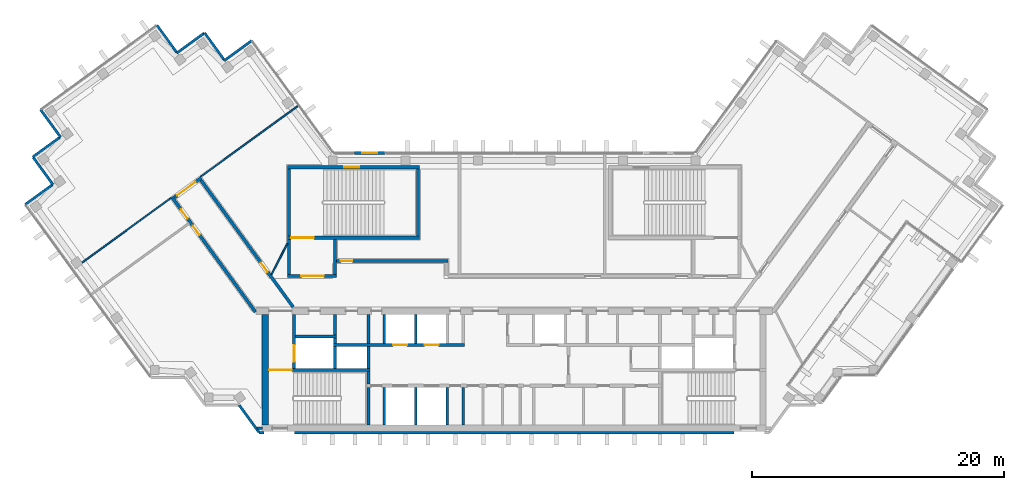
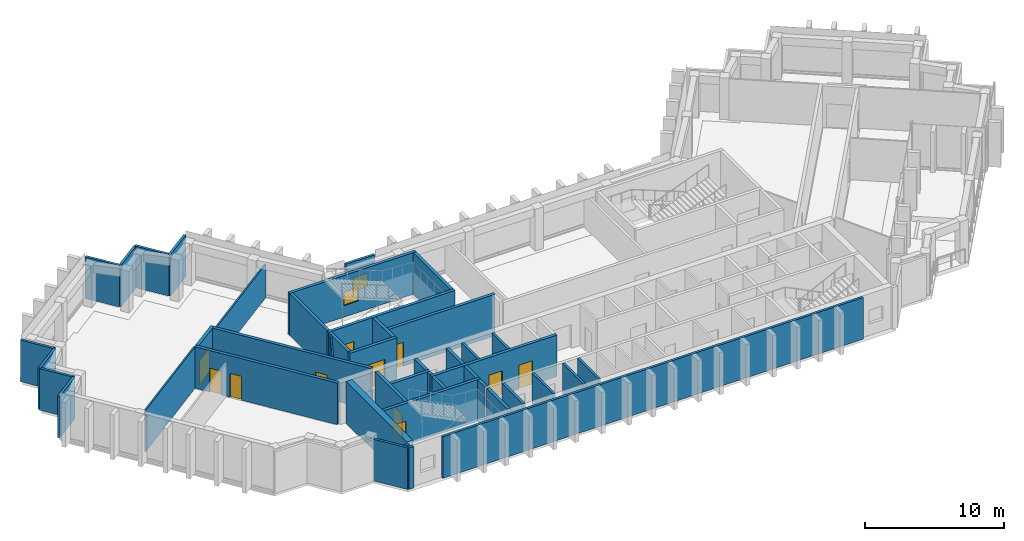
# One storey, part 5 of 11: 45 walls, 11 doors, 2 windows, 13 openings.
"""IFC4 building model written with IfcOpenShell, lengths in metres."""

from ifc_helpers import new_model, si_unit, direction, frame, frame_2d, origin, place, context, subcontext, project, spatial, rectangle, extrude, material, layer, layer_set, type_object, element, fill, save


model = new_model("IFC4")

# Units and contexts
model_context = context("Model", 3, precision=1e-05, world=origin(), true_north=direction((0.0, 1.0)))
body_context = subcontext(model_context, "Body", "Model", "MODEL_VIEW")
ifc_project = project(units=[si_unit("LENGTHUNIT", "METRE"), si_unit("AREAUNIT", "SQUARE_METRE"), si_unit("VOLUMEUNIT", "CUBIC_METRE"), si_unit("PLANEANGLEUNIT", "RADIAN"), si_unit("MASSUNIT", "GRAM", prefix="KILO")], contexts=[model_context])

# Site, building, storey
site_placement = place(None, origin())
site = spatial("IfcSite", under=ifc_project, at=site_placement, CompositionType="ELEMENT")
building_placement = place(site_placement, origin())
building = spatial("IfcBuilding", under=site, at=building_placement, Name="Quipu Civic Tower", CompositionType="ELEMENT")
storey_placement = place(building_placement, frame((0.0, 0.0, 319.0)))
storey = spatial("IfcBuildingStorey", under=building, at=storey_placement, Name="L74", CompositionType="ELEMENT", Elevation=319.0)

# Walls
ifc_material_1 = material(Name="Concrete C70/85", Category="concrete")
ifc_layer_1 = layer(ifc_material_1, 0.25)
ifc_layer_set_1 = layer_set([ifc_layer_1], Name="Concrete C70/85")
wall_type_1 = type_object("IfcWallType", Name="Core wall 250", PredefinedType="SHEAR", material=ifc_layer_set_1)
wall_1_placement = place(storey_placement, frame((-11.574951171875, -10.5, 0.0), z_axis=(0.0, 0.0, 1.0), x_axis=(0.0, 1.0, 0.0)))
element("IfcWall", 1, at=wall_1_placement, inside=storey, type_object=wall_type_1, Name="Core wall", PredefinedType="SHEAR", context=body_context, shape_type="SweptSolid", body=[
    extrude(rectangle(XDim=3.0, YDim=0.25, at=frame_2d((1.5, 0.0))), origin(), (0.0, 0.0, 1.0), 3.64990234375),
])
wall_2_placement = place(storey_placement, frame((-11.574951171875, -7.25, 0.0), z_axis=(0.0, 0.0, 1.0), x_axis=(0.0, 1.0, 0.0)))
element("IfcWall", 2, at=wall_2_placement, inside=storey, type_object=wall_type_1, Name="Core wall", PredefinedType="SHEAR", context=body_context, shape_type="SweptSolid", body=[
    extrude(rectangle(XDim=1.0, YDim=0.25, at=frame_2d((0.5, 0.0))), origin(), (0.0, 0.0, 1.0), 3.64990234375),
])

# Wall, opening, door
wall_3_placement = place(storey_placement, frame((-11.449951171875, -6.125, 0.0), z_axis=(0.0, 0.0, 1.0), x_axis=(-1.0, 0.0, 0.0)))
wall_3 = element("IfcWall", 3, at=wall_3_placement, inside=storey, type_object=wall_type_1, Name="Core wall", PredefinedType="SHEAR", context=body_context, shape_type="SweptSolid", body=[
    extrude(rectangle(XDim=8.050048828125, YDim=0.25, at=frame_2d((4.02490234375, 0.0))), origin(), (0.0, 0.0, 1.0), 3.64990234375),
])
opening_1_placement = place(wall_3_placement, frame((6.199951171875, 0.0, 0.0)))
opening_1 = element("IfcOpeningElement", 4, at=opening_1_placement, cuts=wall_3, Name="Opening CD-10", PredefinedType="OPENING", context=body_context, shape_type="SweptSolid", body=[
    extrude(rectangle(XDim=1.800048828125, YDim=2.10009765625, at=frame_2d((0.89990234375, 1.050048828125))), frame((0.0, 0.135009765625, 0.0), z_axis=(0.0, -1.0, 0.0), x_axis=(1.0, 0.0, 0.0)), (0.0, 0.0, 1.0), 0.27001953125),
])
ifc_material_2 = material(Name="Fire rated steel door", Category="steel")
door_type_1 = type_object("IfcDoorType", Name="Fire door FD90 double 1800 x 2100", OperationType="NOTDEFINED", PredefinedType="DOOR", material=ifc_material_2)
door_1_placement = place(opening_1_placement, origin())
door_1 = element("IfcDoor", 5, at=door_1_placement, inside=storey, type_object=door_type_1, Name="Door", OperationType="DOUBLE_DOOR_SINGLE_SWING", OverallHeight=2.10009765625, OverallWidth=1.800048828125, PredefinedType="DOOR", context=body_context, shape_type="SweptSolid", body=[
    extrude(rectangle(XDim=1.800048828125, YDim=2.10009765625, at=frame_2d((0.89990234375, 1.050048828125))), frame((0.0, 0.02490234375, 0.0), z_axis=(0.0, -1.0, 0.0), x_axis=(1.0, 0.0, 0.0)), (0.0, 0.0, 1.0), 0.050048828125),
])
fill(opening_1, door_1)

wall_4_placement = place(storey_placement, frame((-17.47509765625, -6.0, 0.0), z_axis=(0.0, 0.0, 1.0), x_axis=(0.0, 1.0, 0.0)))
wall_4 = element("IfcWall", 6, at=wall_4_placement, inside=storey, type_object=wall_type_1, Name="Core wall", PredefinedType="SHEAR", context=body_context, shape_type="SweptSolid", body=[
    extrude(rectangle(XDim=4.300048828125, YDim=0.25, at=frame_2d((2.14990234375, 0.0))), origin(), (0.0, 0.0, 1.0), 3.64990234375),
])
opening_2_placement = place(wall_4_placement, frame((0.550048828125, 0.0, 0.0)))
opening_2 = element("IfcOpeningElement", 7, at=opening_2_placement, cuts=wall_4, Name="Opening LD-FF1", PredefinedType="OPENING", context=body_context, shape_type="SweptSolid", body=[
    extrude(rectangle(XDim=1.300048828125, YDim=2.10009765625, at=frame_2d((0.64990234375, 1.050048828125))), frame((0.0, 0.135009765625, 0.0), z_axis=(0.0, -1.0, 0.0), x_axis=(1.0, 0.0, 0.0)), (0.0, 0.0, 1.0), 0.27001953125),
])
ifc_material_3 = material(Name="Stainless steel", Category="steel")
door_type_2 = type_object("IfcDoorType", Name="Lift landing door 1300 x 2100", OperationType="DOUBLE_DOOR_SLIDING", PredefinedType="DOOR", material=ifc_material_3)
door_2_placement = place(opening_2_placement, origin())
door_2 = element("IfcDoor", 8, at=door_2_placement, inside=storey, type_object=door_type_2, Name="Landing door FF1", OperationType="DOUBLE_DOOR_SLIDING", OverallHeight=2.10009765625, OverallWidth=1.300048828125, PredefinedType="DOOR", context=body_context, shape_type="SweptSolid", body=[
    extrude(rectangle(XDim=1.300048828125, YDim=2.10009765625, at=frame_2d((0.64990234375, 1.050048828125))), frame((0.0, 0.02490234375, 0.0), z_axis=(0.0, -1.0, 0.0), x_axis=(1.0, 0.0, 0.0)), (0.0, 0.0, 1.0), 0.050048828125),
])
fill(opening_2, door_2)

# Walls
for number, where, z_axis, x_axis, name in (
    (9, (-14.22509765625, -6.0, 0.0), (0.0, 0.0, 1.0), (0.0, 1.0, 0.0), "Core wall"),
    (10, (-11.574951171875, -6.0, 0.0), (0.0, 0.0, 1.0), (0.0, 1.0, 0.0), "Core wall"),
):
    element("IfcWall", number, at=place(storey_placement, frame(where, z_axis=z_axis, x_axis=x_axis)), inside=storey, type_object=wall_type_1, Name=name, PredefinedType="SHEAR", context=body_context, shape_type="SweptSolid", body=[
        extrude(rectangle(XDim=1.75, YDim=0.25, at=frame_2d((0.875, 0.0))), origin(), (0.0, 0.0, 1.0), 3.64990234375),
    ])

# Wall, openings, doors
wall_5_placement = place(storey_placement, frame((-14.35009765625, -4.125, 0.0), z_axis=(0.0, 0.0, 1.0), x_axis=(1.0, 0.0, 0.0)))
wall_5 = element("IfcWall", 11, at=wall_5_placement, inside=storey, type_object=wall_type_1, Name="Core wall", PredefinedType="SHEAR", context=body_context, shape_type="SweptSolid", body=[
    extrude(rectangle(XDim=10.400146484375, YDim=0.25, at=frame_2d((5.2001953125, 0.0))), origin(), (0.0, 0.0, 1.0), 3.64990234375),
])
opening_3_placement = place(wall_5_placement, frame((4.75, 0.0, 0.0)))
opening_3 = element("IfcOpeningElement", 12, at=opening_3_placement, cuts=wall_5, Name="Opening LD-HL3", PredefinedType="OPENING", context=body_context, shape_type="SweptSolid", body=[
    extrude(rectangle(XDim=1.10009765625, YDim=2.10009765625, at=frame_2d((0.550048828125, 1.050048828125))), frame((0.0, 0.135009765625, 0.0), z_axis=(0.0, -1.0, 0.0), x_axis=(1.0, 0.0, 0.0)), (0.0, 0.0, 1.0), 0.27001953125),
])
opening_4_placement = place(wall_5_placement, frame((7.25, 0.0, 0.0)))
opening_4 = element("IfcOpeningElement", 13, at=opening_4_placement, cuts=wall_5, Name="Opening LD-HL4", PredefinedType="OPENING", context=body_context, shape_type="SweptSolid", body=[
    extrude(rectangle(XDim=1.10009765625, YDim=2.10009765625, at=frame_2d((0.550048828125, 1.050048828125))), frame((0.0, 0.135009765625, 0.0), z_axis=(0.0, -1.0, 0.0), x_axis=(1.0, 0.0, 0.0)), (0.0, 0.0, 1.0), 0.27001953125),
])
ifc_material_4 = material(Name="Stainless steel", Category="steel")
door_type_3 = type_object("IfcDoorType", Name="Lift landing door 1100 x 2100", OperationType="DOUBLE_DOOR_SLIDING", PredefinedType="DOOR", material=ifc_material_4)
door_3_placement = place(opening_3_placement, origin())
door_3 = element("IfcDoor", 14, at=door_3_placement, inside=storey, type_object=door_type_3, Name="Landing door HL3", OperationType="DOUBLE_DOOR_SLIDING", OverallHeight=2.10009765625, OverallWidth=1.10009765625, PredefinedType="DOOR", context=body_context, shape_type="SweptSolid", body=[
    extrude(rectangle(XDim=1.10009765625, YDim=2.10009765625, at=frame_2d((0.550048828125, 1.050048828125))), frame((0.0, 0.02490234375, 0.0), z_axis=(0.0, -1.0, 0.0), x_axis=(1.0, 0.0, 0.0)), (0.0, 0.0, 1.0), 0.050048828125),
])
fill(opening_3, door_3)
door_4_placement = place(opening_4_placement, origin())
door_4 = element("IfcDoor", 15, at=door_4_placement, inside=storey, type_object=door_type_3, Name="Landing door HL4", OperationType="DOUBLE_DOOR_SLIDING", OverallHeight=2.10009765625, OverallWidth=1.10009765625, PredefinedType="DOOR", context=body_context, shape_type="SweptSolid", body=[
    extrude(rectangle(XDim=1.10009765625, YDim=2.10009765625, at=frame_2d((0.550048828125, 1.050048828125))), frame((0.0, 0.02490234375, 0.0), z_axis=(0.0, -1.0, 0.0), x_axis=(1.0, 0.0, 0.0)), (0.0, 0.0, 1.0), 0.050048828125),
])
fill(opening_4, door_4)

# Walls
wall_6_placement = place(storey_placement, frame((-14.22509765625, -4.0, 0.0), z_axis=(0.0, 0.0, 1.0), x_axis=(0.0, 1.0, 0.0)))
element("IfcWall", 16, at=wall_6_placement, inside=storey, type_object=wall_type_1, Name="Core wall", PredefinedType="SHEAR", context=body_context, shape_type="SweptSolid", body=[
    extrude(rectangle(XDim=0.39990234375, YDim=0.25, at=frame_2d((0.199951171875, 0.0))), origin(), (0.0, 0.0, 1.0), 3.64990234375),
])
wall_7_placement = place(storey_placement, frame((-11.574951171875, -4.0, 0.0), z_axis=(0.0, 0.0, 1.0), x_axis=(0.0, 1.0, 0.0)))
element("IfcWall", 17, at=wall_7_placement, inside=storey, type_object=wall_type_1, Name="Core wall", PredefinedType="SHEAR", context=body_context, shape_type="SweptSolid", body=[
    extrude(rectangle(XDim=2.300048828125, YDim=0.25, at=frame_2d((1.14990234375, 0.0))), origin(), (0.0, 0.0, 1.0), 3.64990234375),
])
wall_8_placement = place(storey_placement, frame((-17.35009765625, -3.47509765625, 0.0), z_axis=(0.0, 0.0, 1.0), x_axis=(1.0, 0.0, 0.0)))
element("IfcWall", 18, at=wall_8_placement, inside=storey, type_object=wall_type_1, Name="Core wall", PredefinedType="SHEAR", context=body_context, shape_type="SweptSolid", body=[
    extrude(rectangle(XDim=3.25, YDim=0.25, at=frame_2d((1.625, 0.0))), origin(), (0.0, 0.0, 1.0), 3.64990234375),
])
wall_9_placement = place(storey_placement, frame((-14.22509765625, -3.35009765625, 0.0), z_axis=(0.0, 0.0, 1.0), x_axis=(0.0, 1.0, 0.0)))
element("IfcWall", 19, at=wall_9_placement, inside=storey, type_object=wall_type_1, Name="Core wall", PredefinedType="SHEAR", context=body_context, shape_type="SweptSolid", body=[
    extrude(rectangle(XDim=1.650146484375, YDim=0.25, at=frame_2d((0.8251953125, 0.0))), origin(), (0.0, 0.0, 1.0), 3.64990234375),
])

# Wall, opening, door
wall_10_placement = place(storey_placement, frame((-18.0, 1.324951171875, 0.0), z_axis=(0.0, 0.0, 1.0), x_axis=(1.0, 0.0, 0.0)))
wall_10 = element("IfcWall", 20, at=wall_10_placement, inside=storey, type_object=wall_type_1, Name="Core wall", PredefinedType="SHEAR", context=body_context, shape_type="SweptSolid", body=[
    extrude(rectangle(XDim=3.89990234375, YDim=0.25, at=frame_2d((1.949951171875, 0.0))), origin(), (0.0, 0.0, 1.0), 3.64990234375),
])
opening_5_placement = place(wall_10_placement, frame((1.10009765625, 0.0, 0.0)))
opening_5 = element("IfcOpeningElement", 21, at=opening_5_placement, cuts=wall_10, Name="Opening CD-28", PredefinedType="OPENING", context=body_context, shape_type="SweptSolid", body=[
    extrude(rectangle(XDim=1.800048828125, YDim=2.10009765625, at=frame_2d((0.89990234375, 1.050048828125))), frame((0.0, 0.135009765625, 0.0), z_axis=(0.0, -1.0, 0.0), x_axis=(1.0, 0.0, 0.0)), (0.0, 0.0, 1.0), 0.27001953125),
])
door_5_placement = place(opening_5_placement, origin())
door_5 = element("IfcDoor", 22, at=door_5_placement, inside=storey, type_object=door_type_1, Name="Lobby door", OperationType="DOUBLE_DOOR_SINGLE_SWING", OverallHeight=2.10009765625, OverallWidth=1.800048828125, PredefinedType="DOOR", context=body_context, shape_type="SweptSolid", body=[
    extrude(rectangle(XDim=1.800048828125, YDim=2.10009765625, at=frame_2d((0.89990234375, 1.050048828125))), frame((0.0, 0.02490234375, 0.0), z_axis=(0.0, -1.0, 0.0), x_axis=(1.0, 0.0, 0.0)), (0.0, 0.0, 1.0), 0.050048828125),
])
fill(opening_5, door_5)

# Walls
for number, where, z_axis, x_axis, name in (
    (23, (-17.875, 1.449951171875, 0.0), (0.0, 0.0, 1.0), (0.0, 1.0, 0.0), "Core wall"),
    (24, (-14.22509765625, 1.449951171875, 0.0), (0.0, 0.0, 1.0), (0.0, 1.0, 0.0), "Core wall"),
):
    element("IfcWall", number, at=place(storey_placement, frame(where, z_axis=z_axis, x_axis=x_axis)), inside=storey, type_object=wall_type_1, Name=name, PredefinedType="SHEAR", context=body_context, shape_type="SweptSolid", body=[
        extrude(rectangle(XDim=2.800048828125, YDim=0.25, at=frame_2d((1.39990234375, 0.0))), origin(), (0.0, 0.0, 1.0), 3.64990234375),
    ])

# Wall, opening, door
wall_11_placement = place(storey_placement, frame((-18.0, 4.375, 0.0), z_axis=(0.0, 0.0, 1.0), x_axis=(1.0, 0.0, 0.0)))
wall_11 = element("IfcWall", 25, at=wall_11_placement, inside=storey, type_object=wall_type_1, Name="Core wall", PredefinedType="SHEAR", context=body_context, shape_type="SweptSolid", body=[
    extrude(rectangle(XDim=10.5, YDim=0.25, at=frame_2d((5.25, 0.0))), origin(), (0.0, 0.0, 1.0), 3.64990234375),
])
opening_6_placement = place(wall_11_placement, frame((0.300048828125, 0.0, 0.0)))
opening_6 = element("IfcOpeningElement", 26, at=opening_6_placement, cuts=wall_11, Name="Opening CD-29", PredefinedType="OPENING", context=body_context, shape_type="SweptSolid", body=[
    extrude(rectangle(XDim=1.800048828125, YDim=2.10009765625, at=frame_2d((0.89990234375, 1.050048828125))), frame((0.0, 0.135009765625, 0.0), z_axis=(0.0, -1.0, 0.0), x_axis=(1.0, 0.0, 0.0)), (0.0, 0.0, 1.0), 0.27001953125),
])
door_6_placement = place(opening_6_placement, origin())
door_6 = element("IfcDoor", 27, at=door_6_placement, inside=storey, type_object=door_type_1, Name="Door", OperationType="DOUBLE_DOOR_SINGLE_SWING", OverallHeight=2.10009765625, OverallWidth=1.800048828125, PredefinedType="DOOR", context=body_context, shape_type="SweptSolid", body=[
    extrude(rectangle(XDim=1.800048828125, YDim=2.10009765625, at=frame_2d((0.89990234375, 1.050048828125))), frame((0.0, 0.02490234375, 0.0), z_axis=(0.0, -1.0, 0.0), x_axis=(1.0, 0.0, 0.0)), (0.0, 0.0, 1.0), 0.050048828125),
])
fill(opening_6, door_6)

# Walls
for number, where, z_axis, x_axis, name in (
    (28, (-17.875, 4.5, 0.0), (0.0, 0.0, 1.0), (0.0, 1.0, 0.0), "Core wall"),
    (29, (-7.625, 4.5, 0.0), (0.0, 0.0, 1.0), (0.0, 1.0, 0.0), "Core wall"),
):
    element("IfcWall", number, at=place(storey_placement, frame(where, z_axis=z_axis, x_axis=x_axis)), inside=storey, type_object=wall_type_1, Name=name, PredefinedType="SHEAR", context=body_context, shape_type="SweptSolid", body=[
        extrude(rectangle(XDim=5.35009765625, YDim=0.25, at=frame_2d((2.675048828125, 0.0))), origin(), (0.0, 0.0, 1.0), 3.64990234375),
    ])

# Wall, opening, window
wall_12_placement = place(storey_placement, frame((-18.0, 9.97509765625, 0.0), z_axis=(0.0, 0.0, 1.0), x_axis=(1.0, 0.0, 0.0)))
wall_12 = element("IfcWall", 30, at=wall_12_placement, inside=storey, type_object=wall_type_1, Name="Core wall", PredefinedType="SHEAR", context=body_context, shape_type="SweptSolid", body=[
    extrude(rectangle(XDim=10.5, YDim=0.25, at=frame_2d((5.25, 0.0))), origin(), (0.0, 0.0, 1.0), 3.64990234375),
])
opening_7_placement = place(wall_12_placement, frame((4.5, 0.0, 1.0)))
opening_7 = element("IfcOpeningElement", 31, at=opening_7_placement, cuts=wall_12, Name="Opening SV-3", PredefinedType="OPENING", context=body_context, shape_type="SweptSolid", body=[
    extrude(rectangle(XDim=1.199951171875, YDim=1.199951171875, at=frame_2d((0.60009765625, 0.60009765625))), frame((0.0, 0.135009765625, 0.0), z_axis=(0.0, -1.0, 0.0), x_axis=(1.0, 0.0, 0.0)), (0.0, 0.0, 1.0), 0.27001953125),
])
ifc_material_5 = material(Name="Aluminium louvre", Category="aluminium")
window_type_1 = type_object("IfcWindowType", Name="Stair ventilation louvre 1200 x 1200", PartitioningType="SINGLE_PANEL", PredefinedType="WINDOW", material=ifc_material_5)
window_1_placement = place(opening_7_placement, origin())
window_1 = element("IfcWindow", 32, at=window_1_placement, inside=storey, type_object=window_type_1, Name="Stair ventilation opening", OverallHeight=1.199951171875, OverallWidth=1.199951171875, PartitioningType="SINGLE_PANEL", PredefinedType="WINDOW", context=body_context, shape_type="SweptSolid", body=[
    extrude(rectangle(XDim=1.199951171875, YDim=1.199951171875, at=frame_2d((0.60009765625, 0.60009765625))), frame((0.0, 0.030029296875, 0.0), z_axis=(0.0, -1.0, 0.0), x_axis=(1.0, 0.0, 0.0)), (0.0, 0.0, 1.0), 0.06005859375),
])
fill(opening_7, window_1)

# Wall
ifc_material_6 = material(Name="Concrete C70/85", Category="concrete")
ifc_layer_2 = layer(ifc_material_6, 0.5)
ifc_layer_set_2 = layer_set([ifc_layer_2], Name="Concrete C70/85")
wall_type_2 = type_object("IfcWallType", Name="Core wall 500", PredefinedType="SHEAR", material=ifc_layer_set_2)
wall_13_placement = place(storey_placement, frame((-19.75, -10.5, 0.0), z_axis=(0.0, 0.0, 1.0), x_axis=(0.0, 1.0, 0.0)))
element("IfcWall", 33, at=wall_13_placement, inside=storey, type_object=wall_type_2, Name="Core wall", PredefinedType="SHEAR", context=body_context, shape_type="SweptSolid", body=[
    extrude(rectangle(XDim=8.800048828125, YDim=0.5, at=frame_2d((4.39990234375, 0.0))), origin(), (0.0, 0.0, 1.0), 3.64990234375),
])

# Wall, openings, doors
ifc_material_7 = material(Name="Concrete C50/60", Category="concrete")
ifc_layer_3 = layer(ifc_material_7, 0.25)
ifc_layer_set_3 = layer_set([ifc_layer_3], Name="Concrete C50/60")
wall_type_3 = type_object("IfcWallType", Name="Corridor wall 250 concrete", PredefinedType="SOLIDWALL", material=ifc_layer_set_3)
wall_14_placement = place(storey_placement, frame((-20.531005859375, -1.5234375, 0.0), z_axis=(0.0, 0.0, 1.0), x_axis=(-0.587782646447, 0.809018887626, 0.0)))
wall_14 = element("IfcWall", 34, at=wall_14_placement, inside=storey, type_object=wall_type_3, Name="Corridor wall C04", PredefinedType="SOLIDWALL", context=body_context, shape_type="SweptSolid", body=[
    extrude(rectangle(XDim=11.270263671875, YDim=0.25, at=frame_2d((5.63525390625, 0.0))), origin(), (0.0, 0.0, 1.0), 3.64990234375),
])
opening_8_placement = place(wall_14_placement, frame((7.56591796875, 0.0, 0.0)))
opening_8 = element("IfcOpeningElement", 35, at=opening_8_placement, cuts=wall_14, Name="Opening D010", PredefinedType="OPENING", context=body_context, shape_type="SweptSolid", body=[
    extrude(rectangle(XDim=0.89990234375, YDim=2.10009765625, at=frame_2d((0.449951171875, 1.050048828125))), frame((0.0, 0.135009765625, 0.0), z_axis=(0.0, -1.0, 0.0), x_axis=(1.0, 0.0, 0.0)), (0.0, 0.0, 1.0), 0.27001953125),
])
opening_9_placement = place(wall_14_placement, frame((9.165283203125, 0.0, 0.0)))
opening_9 = element("IfcOpeningElement", 36, at=opening_9_placement, cuts=wall_14, Name="Opening D009", PredefinedType="OPENING", context=body_context, shape_type="SweptSolid", body=[
    extrude(rectangle(XDim=0.89990234375, YDim=2.10009765625, at=frame_2d((0.449951171875, 1.050048828125))), frame((0.0, 0.135009765625, 0.0), z_axis=(0.0, -1.0, 0.0), x_axis=(1.0, 0.0, 0.0)), (0.0, 0.0, 1.0), 0.27001953125),
])
ifc_material_8 = material(Name="Fire rated timber door set with metal frame", Category="wood")
door_type_4 = type_object("IfcDoorType", Name="Single door 900 x 2100 FD60", OperationType="NOTDEFINED", PredefinedType="DOOR", material=ifc_material_8)
door_7_placement = place(opening_8_placement, origin())
door_7 = element("IfcDoor", 37, at=door_7_placement, inside=storey, type_object=door_type_4, Name="Door D010", OperationType="SINGLE_SWING_RIGHT", OverallHeight=2.10009765625, OverallWidth=0.89990234375, PredefinedType="DOOR", context=body_context, shape_type="SweptSolid", body=[
    extrude(rectangle(XDim=0.89990234375, YDim=2.10009765625, at=frame_2d((0.449951171875, 1.050048828125))), frame((0.0, 0.02490234375, 0.0), z_axis=(0.0, -1.0, 0.0), x_axis=(1.0, 0.0, 0.0)), (0.0, 0.0, 1.0), 0.050048828125),
])
fill(opening_8, door_7)
door_8_placement = place(opening_9_placement, origin())
door_8 = element("IfcDoor", 38, at=door_8_placement, inside=storey, type_object=door_type_4, Name="Door D009", OperationType="SINGLE_SWING_LEFT", OverallHeight=2.10009765625, OverallWidth=0.89990234375, PredefinedType="DOOR", context=body_context, shape_type="SweptSolid", body=[
    extrude(rectangle(XDim=0.89990234375, YDim=2.10009765625, at=frame_2d((0.449951171875, 1.050048828125))), frame((0.0, 0.02490234375, 0.0), z_axis=(0.0, -1.0, 0.0), x_axis=(1.0, 0.0, 0.0)), (0.0, 0.0, 1.0), 0.050048828125),
])
fill(opening_9, door_8)

# Wall, opening, door
wall_15_placement = place(storey_placement, frame((-26.98095703125, 7.56689453125, 0.0), z_axis=(0.0, 0.0, 1.0), x_axis=(0.809038743598, 0.587755315891, 0.0)))
wall_15 = element("IfcWall", 39, at=wall_15_placement, inside=storey, type_object=wall_type_3, Name="Corridor wall C05", PredefinedType="SOLIDWALL", context=body_context, shape_type="SweptSolid", body=[
    extrude(rectangle(XDim=2.650146484375, YDim=0.25, at=frame_2d((1.3251953125, 0.0))), origin(), (0.0, 0.0, 1.0), 3.64990234375),
])
opening_10_placement = place(wall_15_placement, frame((0.299560546875, 0.0, 0.0)))
opening_10 = element("IfcOpeningElement", 40, at=opening_10_placement, cuts=wall_15, Name="Opening D011", PredefinedType="OPENING", context=body_context, shape_type="SweptSolid", body=[
    extrude(rectangle(XDim=1.800048828125, YDim=2.10009765625, at=frame_2d((0.89990234375, 1.050048828125))), frame((0.0, 0.135009765625, 0.0), z_axis=(0.0, -1.0, 0.0), x_axis=(1.0, 0.0, 0.0)), (0.0, 0.0, 1.0), 0.27001953125),
])
ifc_material_9 = material(Name="Fire rated timber door set with metal frame", Category="wood")
door_type_5 = type_object("IfcDoorType", Name="Double door 1800 x 2100 FD60", OperationType="DOUBLE_DOOR_SINGLE_SWING", PredefinedType="DOOR", material=ifc_material_9)
door_9_placement = place(opening_10_placement, origin())
door_9 = element("IfcDoor", 41, at=door_9_placement, inside=storey, type_object=door_type_5, Name="Door D011", OperationType="DOUBLE_DOOR_SINGLE_SWING", OverallHeight=2.10009765625, OverallWidth=1.800048828125, PredefinedType="DOOR", context=body_context, shape_type="SweptSolid", body=[
    extrude(rectangle(XDim=1.800048828125, YDim=2.10009765625, at=frame_2d((0.89990234375, 1.050048828125))), frame((0.0, 0.02490234375, 0.0), z_axis=(0.0, -1.0, 0.0), x_axis=(1.0, 0.0, 0.0)), (0.0, 0.0, 1.0), 0.050048828125),
])
fill(opening_10, door_9)

wall_16_placement = place(storey_placement, frame((-24.86474609375, 8.949951171875, 0.0), z_axis=(0.0, 0.0, 1.0), x_axis=(0.587791617212, -0.809012369952, 0.0)))
wall_16 = element("IfcWall", 42, at=wall_16_placement, inside=storey, type_object=wall_type_3, Name="Corridor wall C06", PredefinedType="SOLIDWALL", context=body_context, shape_type="SweptSolid", body=[
    extrude(rectangle(XDim=12.453125, YDim=0.25, at=frame_2d((6.2265625, 0.0))), origin(), (0.0, 0.0, 1.0), 3.64990234375),
])
opening_11_placement = place(wall_16_placement, frame((8.111572265625, 0.0, 0.0)))
opening_11 = element("IfcOpeningElement", 43, at=opening_11_placement, cuts=wall_16, Name="Opening D008", PredefinedType="OPENING", context=body_context, shape_type="SweptSolid", body=[
    extrude(rectangle(XDim=0.89990234375, YDim=2.10009765625, at=frame_2d((0.449951171875, 1.050048828125))), frame((0.0, 0.135009765625, 0.0), z_axis=(0.0, -1.0, 0.0), x_axis=(1.0, 0.0, 0.0)), (0.0, 0.0, 1.0), 0.27001953125),
])
door_10_placement = place(opening_11_placement, origin())
door_10 = element("IfcDoor", 44, at=door_10_placement, inside=storey, type_object=door_type_4, Name="Door D008", OperationType="SINGLE_SWING_RIGHT", OverallHeight=2.10009765625, OverallWidth=0.89990234375, PredefinedType="DOOR", context=body_context, shape_type="SweptSolid", body=[
    extrude(rectangle(XDim=0.89990234375, YDim=2.10009765625, at=frame_2d((0.449951171875, 1.050048828125))), frame((0.0, 0.02490234375, 0.0), z_axis=(0.0, -1.0, 0.0), x_axis=(1.0, 0.0, 0.0)), (0.0, 0.0, 1.0), 0.050048828125),
])
fill(opening_11, door_10)

wall_17_placement = place(storey_placement, frame((-14.090087890625, 2.52490234375, 0.0), z_axis=(0.0, 0.0, 1.0), x_axis=(1.0, 0.0, 0.0)))
wall_17 = element("IfcWall", 45, at=wall_17_placement, inside=storey, type_object=wall_type_3, Name="Corridor wall C07", PredefinedType="SOLIDWALL", context=body_context, shape_type="SweptSolid", body=[
    extrude(rectangle(XDim=8.840087890625, YDim=0.25, at=frame_2d((4.419921875, 0.0))), origin(), (0.0, 0.0, 1.0), 3.64990234375),
])
opening_12_placement = place(wall_17_placement, frame((0.340087890625, 0.0, 0.0)))
opening_12 = element("IfcOpeningElement", 46, at=opening_12_placement, cuts=wall_17, Name="Opening D005", PredefinedType="OPENING", context=body_context, shape_type="SweptSolid", body=[
    extrude(rectangle(XDim=0.89990234375, YDim=2.10009765625, at=frame_2d((0.449951171875, 1.050048828125))), frame((0.0, 0.135009765625, 0.0), z_axis=(0.0, -1.0, 0.0), x_axis=(1.0, 0.0, 0.0)), (0.0, 0.0, 1.0), 0.27001953125),
])
door_11_placement = place(opening_12_placement, origin())
door_11 = element("IfcDoor", 47, at=door_11_placement, inside=storey, type_object=door_type_4, Name="Door D005", OperationType="SINGLE_SWING_LEFT", OverallHeight=2.10009765625, OverallWidth=0.89990234375, PredefinedType="DOOR", context=body_context, shape_type="SweptSolid", body=[
    extrude(rectangle(XDim=0.89990234375, YDim=2.10009765625, at=frame_2d((0.449951171875, 1.050048828125))), frame((0.0, 0.02490234375, 0.0), z_axis=(0.0, -1.0, 0.0), x_axis=(1.0, 0.0, 0.0)), (0.0, 0.0, 1.0), 0.050048828125),
])
fill(opening_12, door_11)

# Walls
ifc_material_10 = material(Name="Gypsum plasterboard on light gauge framing")
ifc_layer_4 = layer(ifc_material_10, 0.1201171875)
ifc_layer_set_4 = layer_set([ifc_layer_4], Name="Gypsum plasterboard on light gauge framing")
wall_type_4 = type_object("IfcWallType", Name="Partition 120 plasterboard", PredefinedType="PARTITIONING", material=ifc_layer_set_4)
wall_18_placement = place(storey_placement, frame((-17.17236328125, 14.822509765625, 0.0), z_axis=(0.0, 0.0, 1.0), x_axis=(-0.809013490065, -0.587790075531, 0.0)))
element("IfcWall", 48, at=wall_18_placement, inside=storey, type_object=wall_type_4, Name="Partition P05", PredefinedType="PARTITIONING", context=body_context, shape_type="SweptSolid", body=[
    extrude(rectangle(XDim=9.54931640625, YDim=0.1201171875, at=frame_2d((4.774658203125, 0.0))), origin(), (0.0, 0.0, 1.0), 2.949951171875),
])
wall_19_placement = place(storey_placement, frame((-34.291015625, 2.41015625, 0.0), z_axis=(0.0, 0.0, 1.0), x_axis=(0.809027940177, 0.587770186393, 0.0)))
element("IfcWall", 49, at=wall_19_placement, inside=storey, type_object=wall_type_4, Name="Partition P07", PredefinedType="PARTITIONING", context=body_context, shape_type="SweptSolid", body=[
    extrude(rectangle(XDim=8.71484375, YDim=0.1201171875, at=frame_2d((4.357421875, 0.0))), origin(), (0.0, 0.0, 1.0), 3.64990234375),
])
wall_20_placement = place(storey_placement, frame((-19.260986328125, 1.449951171875, 0.0), z_axis=(0.0, 0.0, 1.0), x_axis=(0.453950796792, 0.891026752736, 0.0)))
element("IfcWall", 50, at=wall_20_placement, inside=storey, type_object=wall_type_4, Name="Partition P10", PredefinedType="PARTITIONING", context=body_context, shape_type="SweptSolid", body=[
    extrude(rectangle(XDim=2.77783203125, YDim=0.1201171875, at=frame_2d((1.388916015625, 0.0))), origin(), (0.0, 0.0, 1.0), 3.64990234375),
])
ifc_material_11 = material(Name="Precast concrete C40/50", Category="concrete")
wall_type_5 = type_object("IfcWallType", Name="Precast cladding wall", PredefinedType="SOLIDWALL", material=ifc_material_11)
for number, where, z_axis, x_axis, name in (
    (51, (-20.828857421875, 20.025390625, 0.0), (0.0, 0.0, 1.0), (-0.808990163075, -0.587822180636, 0.0), "Precast cladding wall L74 9"),
    (52, (-22.996337890625, 18.465576171875, 0.0), (0.0, 0.0, 1.0), (-0.587762999008, 0.809033161865, 0.0), "Precast cladding wall L74 10"),
):
    element("IfcWall", number, at=place(storey_placement, frame(where, z_axis=z_axis, x_axis=x_axis)), inside=storey, type_object=wall_type_5, Name=name, PredefinedType="SOLIDWALL", context=body_context, shape_type="SweptSolid", body=[
        extrude(rectangle(XDim=2.699951171875, YDim=0.199951171875, at=frame_2d((1.35009765625, 0.0))), origin(), (0.0, 0.0, 1.0), 3.64990234375),
    ])
for number, where, z_axis, x_axis, name in (
    (53, (-24.60009765625, 20.62255859375, 0.0), (0.0, 0.0, 1.0), (-0.809064397168, -0.587720002413, 0.0), "Precast cladding wall L74 11"),
    (54, (-26.767578125, 19.062744140625, 0.0), (0.0, 0.0, 1.0), (-0.587720002413, 0.809064397168, 0.0), "Precast cladding wall L74 12"),
):
    element("IfcWall", number, at=place(storey_placement, frame(where, z_axis=z_axis, x_axis=x_axis)), inside=storey, type_object=wall_type_5, Name=name, PredefinedType="SOLIDWALL", context=body_context, shape_type="SweptSolid", body=[
        extrude(rectangle(XDim=2.7001953125, YDim=0.199951171875, at=frame_2d((1.35009765625, 0.0))), origin(), (0.0, 0.0, 1.0), 3.64990234375),
    ])
for number, where, z_axis, x_axis, name in (
    (55, (-37.591796875, 14.535888671875, 0.0), (0.0, 0.0, 1.0), (0.587762999008, -0.809033161865, 0.0), "Precast cladding wall L74 14"),
    (56, (-36.031982421875, 12.36865234375, 0.0), (0.0, 0.0, 1.0), (-0.809033161865, -0.587762999008, 0.0), "Precast cladding wall L74 15"),
    (57, (-38.189208984375, 10.7646484375, 0.0), (0.0, 0.0, 1.0), (0.587822180636, -0.808990163075, 0.0), "Precast cladding wall L74 16"),
    (58, (-36.62939453125, 8.597412109375, 0.0), (0.0, 0.0, 1.0), (-0.809033161865, -0.587762999008, 0.0), "Precast cladding wall L74 17"),
):
    element("IfcWall", number, at=place(storey_placement, frame(where, z_axis=z_axis, x_axis=x_axis)), inside=storey, type_object=wall_type_5, Name=name, PredefinedType="SOLIDWALL", context=body_context, shape_type="SweptSolid", body=[
        extrude(rectangle(XDim=2.699951171875, YDim=0.199951171875, at=frame_2d((1.35009765625, 0.0))), origin(), (0.0, 0.0, 1.0), 3.64990234375),
    ])
wall_21_placement = place(storey_placement, frame((-21.8330078125, -8.90869140625, 0.0), z_axis=(0.0, 0.0, 1.0), x_axis=(0.587766567315, -0.809030569476, 0.0)))
element("IfcWall", 59, at=wall_21_placement, inside=storey, type_object=wall_type_5, Name="Precast cladding wall L74 22", PredefinedType="SOLIDWALL", context=body_context, shape_type="SweptSolid", body=[
    extrude(rectangle(XDim=2.687744140625, YDim=0.199951171875, at=frame_2d((1.34375, 0.0))), origin(), (0.0, 0.0, 1.0), 3.64990234375),
])
wall_22_placement = place(storey_placement, frame((-20.255859375, -11.087890625, 0.0), z_axis=(0.0, 0.0, 1.0), x_axis=(1.0, 0.0, 0.0)))
element("IfcWall", 60, at=wall_22_placement, inside=storey, type_object=wall_type_5, Name="Precast cladding wall L74 23", PredefinedType="SOLIDWALL", context=body_context, shape_type="SweptSolid", body=[
    extrude(rectangle(XDim=0.40576171875, YDim=0.199951171875, at=frame_2d((0.202880859375, 0.0))), origin(), (0.0, 0.0, 1.0), 3.64990234375),
])
wall_23_placement = place(storey_placement, frame((-17.44384765625, -11.087890625, 0.0), z_axis=(0.0, 0.0, 1.0), x_axis=(1.0, 0.0, 0.0)))
element("IfcWall", 61, at=wall_23_placement, inside=storey, type_object=wall_type_5, Name="Precast cladding wall L74 24", PredefinedType="SOLIDWALL", context=body_context, shape_type="SweptSolid", body=[
    extrude(rectangle(XDim=34.8876953125, YDim=0.199951171875, at=frame_2d((17.44384765625, 0.0))), origin(), (0.0, 0.0, 1.0), 3.64990234375),
])

# Wall, opening, window
wall_24_placement = place(storey_placement, frame((-10.263427734375, 11.10009765625, 0.0), z_axis=(0.0, 0.0, 1.0), x_axis=(-1.0, 0.0, 0.0)))
wall_24 = element("IfcWall", 62, at=wall_24_placement, inside=storey, type_object=wall_type_5, Name="Vent surround SF-L74-1", PredefinedType="SOLIDWALL", context=body_context, shape_type="SweptSolid", body=[
    extrude(rectangle(XDim=2.3916015625, YDim=0.199951171875, at=frame_2d((1.19580078125, 0.0))), origin(), (0.0, 0.0, 1.0), 3.64990234375),
])
opening_13_placement = place(wall_24_placement, frame((0.595703125, 0.0, 1.0)))
opening_13 = element("IfcOpeningElement", 63, at=opening_13_placement, cuts=wall_24, Name="Opening SF-L74-1", PredefinedType="OPENING", context=body_context, shape_type="SweptSolid", body=[
    extrude(rectangle(XDim=1.199951171875, YDim=1.199951171875, at=frame_2d((0.60009765625, 0.60009765625))), frame((0.0, 0.10986328125, 0.0), z_axis=(0.0, -1.0, 0.0), x_axis=(1.0, 0.0, 0.0)), (0.0, 0.0, 1.0), 0.219970703125),
])
ifc_material_12 = material(Name="Anodised aluminium louvre", Category="aluminium")
window_type_2 = type_object("IfcWindowType", Name="Stair vent louvre window P3", PartitioningType="SINGLE_PANEL", PredefinedType="WINDOW", material=ifc_material_12)
window_2_placement = place(opening_13_placement, origin())
window_2 = element("IfcWindow", 64, at=window_2_placement, inside=storey, type_object=window_type_2, Name="Stair vent louvre SF-L74-1", OverallHeight=1.199951171875, OverallWidth=1.199951171875, PartitioningType="SINGLE_PANEL", PredefinedType="WINDOW", context=body_context, shape_type="SweptSolid", body=[
    extrude(rectangle(XDim=1.199951171875, YDim=1.199951171875, at=frame_2d((0.60009765625, 0.60009765625))), frame((0.0, 0.030029296875, 0.0), z_axis=(0.0, -1.0, 0.0), x_axis=(1.0, 0.0, 0.0)), (0.0, 0.0, 1.0), 0.06005859375),
])
fill(opening_13, window_2)

# Walls
wall_25_placement = place(storey_placement, frame((-19.97998046875, -10.75, 0.0), z_axis=(0.0, 0.0, 1.0), x_axis=(-1.0, 0.0, 0.0)))
element("IfcWall", 65, at=wall_25_placement, inside=storey, type_object=wall_type_5, Name="Precast cladding return L74 W", PredefinedType="SOLIDWALL", context=body_context, shape_type="SweptSolid", body=[
    extrude(rectangle(XDim=0.41650390625, YDim=0.199951171875, at=frame_2d((0.208251953125, 0.0))), origin(), (0.0, 0.0, 1.0), 3.64990234375),
])
ifc_material_13 = material(Name="Concrete C40/50", Category="concrete")
ifc_layer_5 = layer(ifc_material_13, 0.199951171875)
ifc_layer_set_5 = layer_set([ifc_layer_5], Name="Concrete C40/50")
wall_type_6 = type_object("IfcWallType", Name="Shaft wall 200", PredefinedType="SOLIDWALL", material=ifc_layer_set_5)
for number, where, z_axis, x_axis, name in (
    (66, (-10.300048828125, -10.5, 0.0), (0.0, 0.0, 1.0), (0.0, 1.0, 0.0), "Shaft wall"),
    (67, (-7.800048828125, -10.5, 0.0), (0.0, 0.0, 1.0), (0.0, 1.0, 0.0), "Shaft wall"),
    (68, (-5.300048828125, -10.5, 0.0), (0.0, 0.0, 1.0), (0.0, 1.0, 0.0), "Shaft wall"),
    (69, (-4.050048828125, -10.5, 0.0), (0.0, 0.0, 1.0), (0.0, 1.0, 0.0), "Shaft wall"),
):
    element("IfcWall", number, at=place(storey_placement, frame(where, z_axis=z_axis, x_axis=x_axis)), inside=storey, type_object=wall_type_6, Name=name, PredefinedType="SOLIDWALL", context=body_context, shape_type="SweptSolid", body=[
        extrude(rectangle(XDim=3.0, YDim=0.199951171875, at=frame_2d((1.5, 0.0))), origin(), (0.0, 0.0, 1.0), 3.64990234375),
    ])
for number, where, z_axis, x_axis, name in (
    (70, (-10.300048828125, -4.0, 0.0), (0.0, 0.0, 1.0), (0.0, 1.0, 0.0), "Shaft wall"),
    (71, (-7.800048828125, -4.0, 0.0), (0.0, 0.0, 1.0), (0.0, 1.0, 0.0), "Shaft wall"),
):
    element("IfcWall", number, at=place(storey_placement, frame(where, z_axis=z_axis, x_axis=x_axis)), inside=storey, type_object=wall_type_6, Name=name, PredefinedType="SOLIDWALL", context=body_context, shape_type="SweptSolid", body=[
        extrude(rectangle(XDim=2.300048828125, YDim=0.199951171875, at=frame_2d((1.14990234375, 0.0))), origin(), (0.0, 0.0, 1.0), 3.64990234375),
    ])

save(model, "model.ifc")
